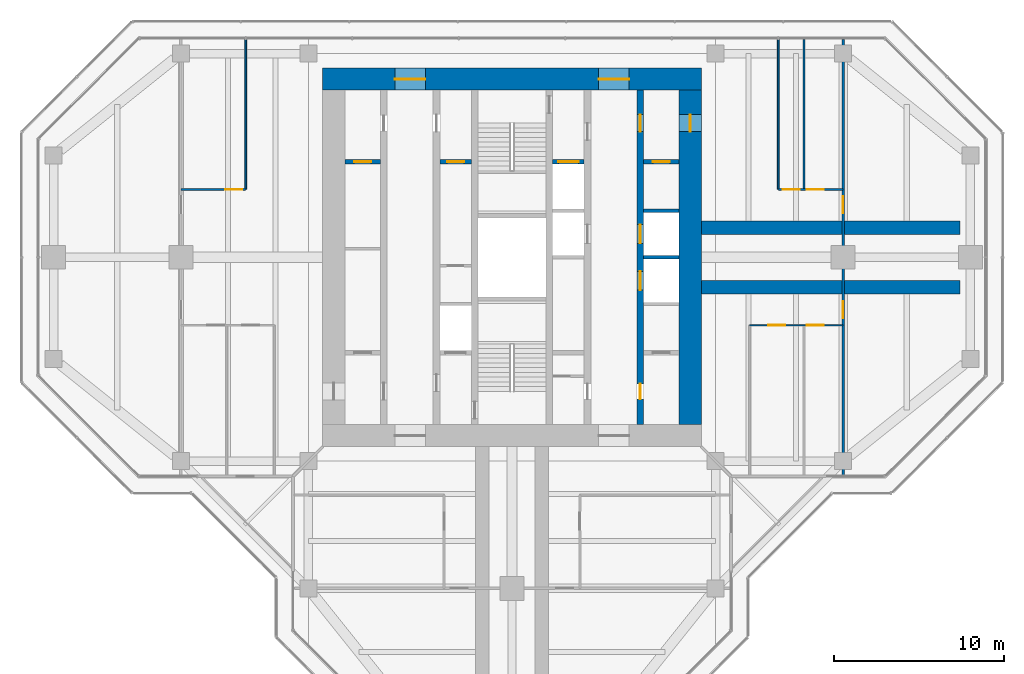
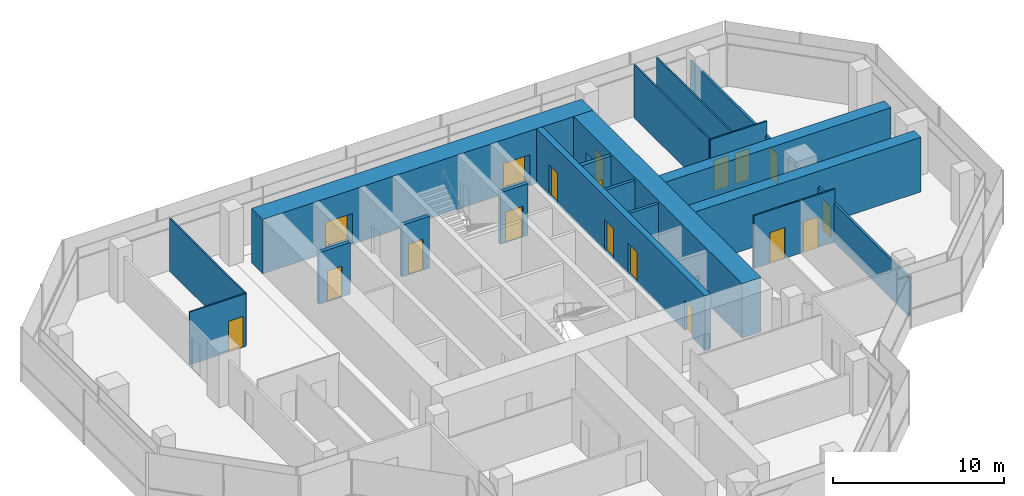
# One storey, part 13 of 16: 18 doors, 18 walls, 18 openings.
"""IFC4 building model written with IfcOpenShell, lengths in metres."""

import ifcopenshell
import ifcopenshell.guid

model = None  # the IFC model being written
_history = None  # IfcOwnerHistory: only IFC2X3 demands one
_inside = {}  # id of a spatial element -> (the spatial element, [elements in it])
_under = {}  # id of a project, library or spatial element -> (it, [spatial elements below it])
_declared = {}  # id of a project -> (the project, [libraries it declares])
_typed = {}  # id of a type object -> (the type object, [elements of that type])
_made_of = {}  # id of a material, layer set ... -> (it, [elements and type objects made of it])


def new_model(schema):
    """Start an empty IFC model of exactly this schema.

    Asked for "IFC4X3", IfcOpenShell would pick the latest addendum, in which some entities
    have other attributes; the version numbers below select the first issue.
    IFC2X3 requires an IfcOwnerHistory on every rooted entity: one is made here for all.
    """
    global model, _history
    if schema == "IFC4X3":
        model = ifcopenshell.file(schema_version=(4, 3, 0, 0))
    else:
        model = ifcopenshell.file(schema=schema)
    _inside.clear()
    _under.clear()
    _declared.clear()
    _typed.clear()
    _made_of.clear()
    _history = None
    if model.schema == "IFC2X3":
        org = make("IfcOrganization", Name="unknown")
        user = make(
            "IfcPersonAndOrganization",
            ThePerson=make("IfcPerson", FamilyName="unknown"),
            TheOrganization=org,
        )
        app = make(
            "IfcApplication",
            ApplicationDeveloper=org,
            Version="unknown",
            ApplicationFullName="unknown",
            ApplicationIdentifier="unknown",
        )
        _history = make(
            "IfcOwnerHistory",
            OwningUser=user,
            OwningApplication=app,
            ChangeAction="ADDED",
            CreationDate=0,
        )
    return model


def make(cls, **values):
    """One entity of the class cls with the attributes given. An attribute that is None is left unset."""
    return model.create_entity(
        cls, **{name: value for name, value in values.items() if value is not None}
    )


def rooted(cls, **values):
    """An entity with a GlobalId (a new one), such as an element, a storey or a relation."""
    return make(cls, GlobalId=ifcopenshell.guid.new(), OwnerHistory=_history, **values)


def si_unit(unit_type, name, prefix=None):
    """IfcSIUnit, for example si_unit("LENGTHUNIT", "METRE", prefix="MILLI")."""
    return make("IfcSIUnit", UnitType=unit_type, Prefix=prefix, Name=name)


def assignment(units):
    """IfcUnitAssignment: the units of a project."""
    return None if units is None else make("IfcUnitAssignment", Units=units)


def point(xyz):
    """IfcCartesianPoint."""
    return None if xyz is None else make("IfcCartesianPoint", Coordinates=xyz)


def direction(xyz):
    """IfcDirection."""
    return None if xyz is None else make("IfcDirection", DirectionRatios=xyz)


def frame(location, z_axis=None, x_axis=None):
    """IfcAxis2Placement3D, a coordinate frame: its origin and axes. An axis left out is left unset."""
    return make(
        "IfcAxis2Placement3D",
        Location=point(location),
        Axis=direction(z_axis),
        RefDirection=direction(x_axis),
    )


def frame_2d(location, x_axis=None):
    """IfcAxis2Placement2D, a coordinate frame in the plane: its origin and x axis."""
    return make(
        "IfcAxis2Placement2D", Location=point(location), RefDirection=direction(x_axis)
    )


def origin():
    """The frame at (0, 0, 0) with its axes left unset."""
    return frame((0.0, 0.0, 0.0))


def place(relative_to, where):
    """IfcLocalPlacement: puts the frame where relative to a parent placement (None: the world)."""
    return make(
        "IfcLocalPlacement", PlacementRelTo=relative_to, RelativePlacement=where
    )


def context(
    kind, dimensions, precision=None, world=None, true_north=None, identifier=None
):
    """IfcGeometricRepresentationContext, for example the 3D "Model" context."""
    return make(
        "IfcGeometricRepresentationContext",
        ContextIdentifier=identifier,
        ContextType=kind,
        CoordinateSpaceDimension=dimensions,
        Precision=precision,
        WorldCoordinateSystem=world,
        TrueNorth=true_north,
    )


def subcontext(parent, identifier, kind, view, scale=None):
    """IfcGeometricRepresentationSubContext, for example "Body" below "Model"."""
    return make(
        "IfcGeometricRepresentationSubContext",
        ContextIdentifier=identifier,
        ContextType=kind,
        ParentContext=parent,
        TargetScale=scale,
        TargetView=view,
    )


def project(units=None, contexts=None):
    """IfcProject with its units and contexts."""
    return rooted(
        "IfcProject",
        Name="project",
        RepresentationContexts=contexts,
        UnitsInContext=assignment(units),
    )


def spatial(cls, under=None, at=None, **own):
    """A site, building, storey or space (cls), placed at a placement, below another one or the project."""
    s = rooted(cls, ObjectPlacement=at, **own)
    if under is not None:
        _under.setdefault(under.id(), (under, []))[1].append(s)
    return s


def profile(cls, at=None, kind="AREA", **sizes):
    """A parametric profile (cls). Its sizes go by their IFC names, for example OverallWidth=200.0."""
    return make(cls, ProfileType=kind, Position=at, **sizes)


def rectangle(**sizes):
    """IfcRectangleProfileDef."""
    return profile("IfcRectangleProfileDef", **sizes)


def extrude(swept, where, along, depth):
    """IfcExtrudedAreaSolid: the profile swept, set in the frame where, extruded along a direction by depth."""
    return make(
        "IfcExtrudedAreaSolid",
        SweptArea=swept,
        Position=where,
        ExtrudedDirection=direction(along),
        Depth=depth,
    )


def shape(context_of_items, identifier, shape_type, items):
    """IfcShapeRepresentation: the items that make up one representation, for example the "Body"."""
    return make(
        "IfcShapeRepresentation",
        ContextOfItems=context_of_items,
        RepresentationIdentifier=identifier,
        RepresentationType=shape_type,
        Items=items,
    )


def material(Name=None, Category=None):
    """IfcMaterial."""
    return make("IfcMaterial", Name=Name, Category=Category)


def layer(
    of_material, thickness, ventilated=None, Name=None, Category=None, Priority=None
):
    """IfcMaterialLayer: one layer of a wall or slab, of a material (None: an air gap)."""
    return make(
        "IfcMaterialLayer",
        Material=of_material,
        LayerThickness=thickness,
        IsVentilated=ventilated,
        Name=Name,
        Category=Category,
        Priority=Priority,
    )


def layer_set(layers, Name=None):
    """IfcMaterialLayerSet."""
    return make("IfcMaterialLayerSet", MaterialLayers=layers, LayerSetName=Name)


def made_of(thing, what):
    """Note that an element or type object is made of a material, layer set ...; save() writes the relation."""
    if what is not None:
        _made_of.setdefault(what.id(), (what, []))[1].append(thing)
    return thing


def type_object(cls, material=None, **own):
    """A type object (cls), such as IfcWallType, which elements share."""
    return made_of(rooted(cls, **own), material)


def element(
    cls,
    number,
    at=None,
    inside=None,
    cuts=None,
    type_object=None,
    material=None,
    context=None,
    identifier="Body",
    shape_type=None,
    held_by="IfcProductDefinitionShape",
    body=None,
    shapes=None,
    **own,
):
    """One element of the class cls, such as IfcWall. Its Tag is "e" and its number.

    at: its placement. inside: the storey or other place that contains it. cuts: it is an
    opening in that element (IfcRelVoidsElement). A single representation is given by context,
    identifier, shape_type and body (its items); several are given by shapes. held_by: the class
    of the entity that holds the representations. save() writes the other relations.
    """
    e = rooted(cls, Tag="e%d" % number, ObjectPlacement=at, **own)
    if body is not None:
        shapes = [shape(context, identifier, shape_type, body)]
    if shapes is not None:
        e.Representation = make(held_by, Representations=shapes)
    if inside is not None:
        _inside.setdefault(inside.id(), (inside, []))[1].append(e)
    if cuts is not None:
        rooted(
            "IfcRelVoidsElement", RelatingBuildingElement=cuts, RelatedOpeningElement=e
        )
    if type_object is not None:
        _typed.setdefault(type_object.id(), (type_object, []))[1].append(e)
    return made_of(e, material)


def fill(opening, filler):
    """IfcRelFillsElement: the door or window that sits in an opening."""
    return rooted(
        "IfcRelFillsElement",
        RelatingOpeningElement=opening,
        RelatedBuildingElement=filler,
    )


def aggregate(whole, parts):
    """IfcRelAggregates: a whole, such as a stair, and the parts it consists of."""
    return rooted("IfcRelAggregates", RelatingObject=whole, RelatedObjects=parts)


def save(model, path):
    """Write the relations noted so far, then the file.

    IfcRelAggregates (storeys below a building ...), IfcRelContainedInSpatialStructure (elements
    in a storey), IfcRelDefinesByType, IfcRelAssociatesMaterial and IfcRelDeclares: one each for
    every whole, place, type object, material and project.
    """
    for whole, parts in _under.values():
        aggregate(whole, parts)
    for where, things in _inside.values():
        rooted(
            "IfcRelContainedInSpatialStructure",
            RelatedElements=things,
            RelatingStructure=where,
        )
    for kind, things in _typed.values():
        rooted("IfcRelDefinesByType", RelatedObjects=things, RelatingType=kind)
    for what, things in _made_of.values():
        rooted("IfcRelAssociatesMaterial", RelatedObjects=things, RelatingMaterial=what)
    for by, libraries in _declared.values():
        rooted("IfcRelDeclares", RelatingContext=by, RelatedDefinitions=libraries)
    model.write(path)


model = new_model("IFC4")

# Units and contexts
model_context = context("Model", 3, precision=1e-05, world=origin(), true_north=direction((0.0, 1.0)))
body_context = subcontext(model_context, "Body", "Model", "MODEL_VIEW")
ifc_project = project(units=[si_unit("LENGTHUNIT", "METRE"), si_unit("AREAUNIT", "SQUARE_METRE"), si_unit("VOLUMEUNIT", "CUBIC_METRE"), si_unit("PLANEANGLEUNIT", "RADIAN"), si_unit("MASSUNIT", "GRAM", prefix="KILO")], contexts=[model_context])

# Site, building, storey
site_placement = place(None, origin())
site = spatial("IfcSite", under=ifc_project, at=site_placement, CompositionType="ELEMENT")
building_placement = place(site_placement, origin())
building = spatial("IfcBuilding", under=site, at=building_placement, Name="Mizan Broadcast Tower", CompositionType="ELEMENT")
storey_placement = place(building_placement, frame((0.0, 0.0, 290.699951171875)))
storey = spatial("IfcBuildingStorey", under=building, at=storey_placement, Name="L69", CompositionType="ELEMENT", Elevation=290.699951171875)

# Wall, openings, doors
ifc_material_1 = material(Name="Concrete C70/85", Category="concrete")
ifc_layer_1 = layer(ifc_material_1, 0.39990234375)
ifc_layer_set_1 = layer_set([ifc_layer_1], Name="Concrete C70/85")
wall_type_1 = type_object("IfcWallType", Name="CORE INTERNAL WALL 400", PredefinedType="SHEAR", material=ifc_layer_set_1)
wall_1_placement = place(storey_placement, frame((7.550048828125, 9.85009765625, 0.0), z_axis=(0.0, 0.0, 1.0), x_axis=(0.0, -1.0, 0.0)))
wall_1 = element("IfcWall", 1, at=wall_1_placement, inside=storey, type_object=wall_type_1, Name="Core wall CORE/XW1E", PredefinedType="SHEAR", context=body_context, shape_type="SweptSolid", body=[
    extrude(rectangle(XDim=19.7001953125, YDim=0.39990234375, at=frame_2d((9.85009765625, 0.0))), origin(), (0.0, 0.0, 1.0), 3.900146484375),
])
opening_1_placement = place(wall_1_placement, frame((1.449951171875, 0.0, 0.0)))
opening_1 = element("IfcOpeningElement", 2, at=opening_1_placement, cuts=wall_1, Name="Opening D10F", PredefinedType="OPENING", context=body_context, shape_type="SweptSolid", body=[
    extrude(rectangle(XDim=1.0, YDim=2.199951171875, at=frame_2d((0.5, 1.10009765625))), frame((0.0, 0.2099609375, 0.0), z_axis=(0.0, -1.0, 0.0), x_axis=(1.0, 0.0, 0.0)), (0.0, 0.0, 1.0), 0.419921875),
])
opening_2_placement = place(wall_1_placement, frame((17.300048828125, 0.0, 0.0)))
opening_2 = element("IfcOpeningElement", 3, at=opening_2_placement, cuts=wall_1, Name="Opening D09", PredefinedType="OPENING", context=body_context, shape_type="SweptSolid", body=[
    extrude(rectangle(XDim=0.89990234375, YDim=2.10009765625, at=frame_2d((0.449951171875, 1.050048828125))), frame((0.0, 0.2099609375, 0.0), z_axis=(0.0, -1.0, 0.0), x_axis=(1.0, 0.0, 0.0)), (0.0, 0.0, 1.0), 0.419921875),
])
opening_3_placement = place(wall_1_placement, frame((7.925048828125, 0.0, 0.0)))
opening_3 = element("IfcOpeningElement", 4, at=opening_3_placement, cuts=wall_1, Name="Opening LD", PredefinedType="OPENING", context=body_context, shape_type="SweptSolid", body=[
    extrude(rectangle(XDim=1.10009765625, YDim=2.199951171875, at=frame_2d((0.550048828125, 1.10009765625))), frame((0.0, 0.2099609375, 0.0), z_axis=(0.0, -1.0, 0.0), x_axis=(1.0, 0.0, 0.0)), (0.0, 0.0, 1.0), 0.419921875),
])
opening_4_placement = place(wall_1_placement, frame((10.675048828125, 0.0, 0.0)))
opening_4 = element("IfcOpeningElement", 5, at=opening_4_placement, cuts=wall_1, Name="Opening LD", PredefinedType="OPENING", context=body_context, shape_type="SweptSolid", body=[
    extrude(rectangle(XDim=1.10009765625, YDim=2.199951171875, at=frame_2d((0.550048828125, 1.10009765625))), frame((0.0, 0.2099609375, 0.0), z_axis=(0.0, -1.0, 0.0), x_axis=(1.0, 0.0, 0.0)), (0.0, 0.0, 1.0), 0.419921875),
])
ifc_material_2 = material(Name="Steel door leaf in steel frame", Category="steel")
door_type_1 = type_object("IfcDoorType", Name="FIRE DOOR 1000 FD90", OperationType="SINGLE_SWING_LEFT", PredefinedType="DOOR", material=ifc_material_2)
door_1_placement = place(opening_1_placement, origin())
door_1 = element("IfcDoor", 6, at=door_1_placement, inside=storey, type_object=door_type_1, Name="East core passage door", OperationType="SINGLE_SWING_LEFT", OverallHeight=2.199951171875, OverallWidth=1.0, PredefinedType="DOOR", context=body_context, shape_type="SweptSolid", body=[
    extrude(rectangle(XDim=1.0, YDim=2.199951171875, at=frame_2d((0.5, 1.10009765625))), frame((0.0, 0.02490234375, 0.0), z_axis=(0.0, -1.0, 0.0), x_axis=(1.0, 0.0, 0.0)), (0.0, 0.0, 1.0), 0.050048828125),
])
fill(opening_1, door_1)
ifc_material_3 = material(Name="Steel door leaf in steel frame", Category="steel")
door_type_2 = type_object("IfcDoorType", Name="LIFT LANDING DOOR 1100", OperationType="SLIDING_TO_LEFT", PredefinedType="DOOR", material=ifc_material_3)
door_2_placement = place(opening_3_placement, origin())
door_2 = element("IfcDoor", 7, at=door_2_placement, inside=storey, type_object=door_type_2, Name="Landing door LD1", OperationType="SLIDING_TO_LEFT", OverallHeight=2.199951171875, OverallWidth=1.10009765625, PredefinedType="DOOR", context=body_context, shape_type="SweptSolid", body=[
    extrude(rectangle(XDim=1.10009765625, YDim=2.199951171875, at=frame_2d((0.550048828125, 1.10009765625))), frame((0.0, 0.02490234375, 0.0), z_axis=(0.0, -1.0, 0.0), x_axis=(1.0, 0.0, 0.0)), (0.0, 0.0, 1.0), 0.050048828125),
])
fill(opening_3, door_2)
door_3_placement = place(opening_4_placement, origin())
door_3 = element("IfcDoor", 8, at=door_3_placement, inside=storey, type_object=door_type_2, Name="Landing door LD2", OperationType="SLIDING_TO_LEFT", OverallHeight=2.199951171875, OverallWidth=1.10009765625, PredefinedType="DOOR", context=body_context, shape_type="SweptSolid", body=[
    extrude(rectangle(XDim=1.10009765625, YDim=2.199951171875, at=frame_2d((0.550048828125, 1.10009765625))), frame((0.0, 0.02490234375, 0.0), z_axis=(0.0, -1.0, 0.0), x_axis=(1.0, 0.0, 0.0)), (0.0, 0.0, 1.0), 0.050048828125),
])
fill(opening_4, door_3)
ifc_material_4 = material(Name="Timber door leaf in aluminium frame", Category="wood")
door_type_3 = type_object("IfcDoorType", Name="TOILET DOOR 900", OperationType="SINGLE_SWING_LEFT", PredefinedType="DOOR", material=ifc_material_4)
door_4_placement = place(opening_2_placement, origin())
door_4 = element("IfcDoor", 9, at=door_4_placement, inside=storey, type_object=door_type_3, Name="Female WC door", OperationType="SINGLE_SWING_RIGHT", OverallHeight=2.10009765625, OverallWidth=0.89990234375, PredefinedType="DOOR", context=body_context, shape_type="SweptSolid", body=[
    extrude(rectangle(XDim=0.89990234375, YDim=2.10009765625, at=frame_2d((0.449951171875, 1.050048828125))), frame((0.0, 0.02490234375, 0.0), z_axis=(0.0, -1.0, 0.0), x_axis=(1.0, 0.0, 0.0)), (0.0, 0.0, 1.0), 0.050048828125),
])
fill(opening_2, door_4)

ifc_material_5 = material(Name="Concrete C70/85", Category="concrete")
ifc_layer_2 = layer(ifc_material_5, 1.300048828125)
ifc_layer_set_2 = layer_set([ifc_layer_2], Name="Concrete C70/85")
wall_type_2 = type_object("IfcWallType", Name="CORE WALL 1300", PredefinedType="SHEAR", material=ifc_layer_set_2)
wall_2_placement = place(storey_placement, frame((-11.14990234375, 10.5, 0.0), z_axis=(0.0, 0.0, 1.0), x_axis=(1.0, 0.0, 0.0)))
wall_2 = element("IfcWall", 10, at=wall_2_placement, inside=storey, type_object=wall_type_2, Name="Core wall N L69", PredefinedType="SHEAR", context=body_context, shape_type="SweptSolid", body=[
    extrude(rectangle(XDim=22.2998046875, YDim=1.300048828125, at=frame_2d((11.14990234375, 0.0))), origin(), (0.0, 0.0, 1.0), 3.900146484375),
])
opening_5_placement = place(wall_2_placement, frame((4.25, 0.0, 0.0)))
opening_5 = element("IfcOpeningElement", 11, at=opening_5_placement, cuts=wall_2, Name="Opening D18F", PredefinedType="OPENING", context=body_context, shape_type="SweptSolid", body=[
    extrude(rectangle(XDim=1.800048828125, YDim=2.199951171875, at=frame_2d((0.89990234375, 1.10009765625))), frame((0.0, 0.659912109375, 0.0), z_axis=(0.0, -1.0, 0.0), x_axis=(1.0, 0.0, 0.0)), (0.0, 0.0, 1.0), 1.320068359375),
])
opening_6_placement = place(wall_2_placement, frame((16.25, 0.0, 0.0)))
opening_6 = element("IfcOpeningElement", 12, at=opening_6_placement, cuts=wall_2, Name="Opening D18F", PredefinedType="OPENING", context=body_context, shape_type="SweptSolid", body=[
    extrude(rectangle(XDim=1.800048828125, YDim=2.199951171875, at=frame_2d((0.89990234375, 1.10009765625))), frame((0.0, 0.659912109375, 0.0), z_axis=(0.0, -1.0, 0.0), x_axis=(1.0, 0.0, 0.0)), (0.0, 0.0, 1.0), 1.320068359375),
])
ifc_material_6 = material(Name="Steel door leaf in steel frame", Category="steel")
door_type_4 = type_object("IfcDoorType", Name="LOBBY DOUBLE DOOR 1800 FD90", OperationType="DOUBLE_DOOR_DOUBLE_SWING", PredefinedType="DOOR", material=ifc_material_6)
door_5_placement = place(opening_5_placement, origin())
door_5 = element("IfcDoor", 13, at=door_5_placement, inside=storey, type_object=door_type_4, Name="West lift lobby north door", OperationType="DOUBLE_DOOR_DOUBLE_SWING", OverallHeight=2.199951171875, OverallWidth=1.800048828125, PredefinedType="DOOR", context=body_context, shape_type="SweptSolid", body=[
    extrude(rectangle(XDim=1.800048828125, YDim=2.199951171875, at=frame_2d((0.89990234375, 1.10009765625))), frame((0.0, 0.02490234375, 0.0), z_axis=(0.0, -1.0, 0.0), x_axis=(1.0, 0.0, 0.0)), (0.0, 0.0, 1.0), 0.050048828125),
])
fill(opening_5, door_5)
door_6_placement = place(opening_6_placement, origin())
door_6 = element("IfcDoor", 14, at=door_6_placement, inside=storey, type_object=door_type_4, Name="East lift lobby north door", OperationType="DOUBLE_DOOR_DOUBLE_SWING", OverallHeight=2.199951171875, OverallWidth=1.800048828125, PredefinedType="DOOR", context=body_context, shape_type="SweptSolid", body=[
    extrude(rectangle(XDim=1.800048828125, YDim=2.199951171875, at=frame_2d((0.89990234375, 1.10009765625))), frame((0.0, 0.02490234375, 0.0), z_axis=(0.0, -1.0, 0.0), x_axis=(1.0, 0.0, 0.0)), (0.0, 0.0, 1.0), 0.050048828125),
])
fill(opening_6, door_6)

# Wall, opening, door
wall_3_placement = place(storey_placement, frame((10.5, -9.85009765625, 0.0), z_axis=(0.0, 0.0, 1.0), x_axis=(0.0, 1.0, 0.0)))
wall_3 = element("IfcWall", 15, at=wall_3_placement, inside=storey, type_object=wall_type_2, Name="Core wall E L69", PredefinedType="SHEAR", context=body_context, shape_type="SweptSolid", body=[
    extrude(rectangle(XDim=19.7001953125, YDim=1.300048828125, at=frame_2d((9.85009765625, 0.0))), origin(), (0.0, 0.0, 1.0), 3.900146484375),
])
opening_7_placement = place(wall_3_placement, frame((17.25, 0.0, 0.0)))
opening_7 = element("IfcOpeningElement", 16, at=opening_7_placement, cuts=wall_3, Name="Opening D10F", PredefinedType="OPENING", context=body_context, shape_type="SweptSolid", body=[
    extrude(rectangle(XDim=1.0, YDim=2.199951171875, at=frame_2d((0.5, 1.10009765625))), frame((0.0, 0.659912109375, 0.0), z_axis=(0.0, -1.0, 0.0), x_axis=(1.0, 0.0, 0.0)), (0.0, 0.0, 1.0), 1.320068359375),
])
door_7_placement = place(opening_7_placement, origin())
door_7 = element("IfcDoor", 17, at=door_7_placement, inside=storey, type_object=door_type_1, Name="East core passage arm door", OperationType="SINGLE_SWING_RIGHT", OverallHeight=2.199951171875, OverallWidth=1.0, PredefinedType="DOOR", context=body_context, shape_type="SweptSolid", body=[
    extrude(rectangle(XDim=1.0, YDim=2.199951171875, at=frame_2d((0.5, 1.10009765625))), frame((0.0, 0.02490234375, 0.0), z_axis=(0.0, -1.0, 0.0), x_axis=(1.0, 0.0, 0.0)), (0.0, 0.0, 1.0), 0.050048828125),
])
fill(opening_7, door_7)

# Walls
ifc_material_7 = material(Name="Concrete blockwork", Category="masonry")
ifc_layer_3 = layer(ifc_material_7, 0.199951171875)
ifc_layer_set_3 = layer_set([ifc_layer_3], Name="Concrete blockwork")
wall_type_3 = type_object("IfcWallType", Name="LIFT SHAFT WALL 200", PredefinedType="SOLIDWALL", material=ifc_layer_set_3)
for number, where, z_axis, x_axis, name in (
    (18, (7.75, 0.0, 0.0), (0.0, 0.0, 1.0), (1.0, 0.0, 0.0), "Lift shaft wall CORE/SE1-2"),
    (19, (7.75, 2.75, 0.0), (0.0, 0.0, 1.0), (1.0, 0.0, 0.0), "Lift shaft wall CORE/SE1-3"),
):
    element("IfcWall", number, at=place(storey_placement, frame(where, z_axis=z_axis, x_axis=x_axis)), inside=storey, type_object=wall_type_3, Name=name, PredefinedType="SOLIDWALL", context=body_context, shape_type="SweptSolid", body=[
        extrude(rectangle(XDim=2.10009765625, YDim=0.199951171875, at=frame_2d((1.050048828125, 0.0))), origin(), (0.0, 0.0, 1.0), 3.699951171875),
    ])

# Wall, opening, door
ifc_material_8 = material(Name="Concrete blockwork", Category="masonry")
ifc_layer_4 = layer(ifc_material_8, 0.25)
ifc_layer_set_4 = layer_set([ifc_layer_4], Name="Concrete blockwork")
wall_type_4 = type_object("IfcWallType", Name="LOBBY ENCLOSURE WALL 250", PredefinedType="SOLIDWALL", material=ifc_layer_set_4)
wall_4_placement = place(storey_placement, frame((-9.85009765625, 5.625, 0.0), z_axis=(0.0, 0.0, 1.0), x_axis=(1.0, 0.0, 0.0)))
wall_4 = element("IfcWall", 20, at=wall_4_placement, inside=storey, type_object=wall_type_4, Name="Lobby enclosure wall CORE/BW1N", PredefinedType="SOLIDWALL", context=body_context, shape_type="SweptSolid", body=[
    extrude(rectangle(XDim=2.10009765625, YDim=0.25, at=frame_2d((1.050048828125, 0.0))), origin(), (0.0, 0.0, 1.0), 3.699951171875),
])
opening_8_placement = place(wall_4_placement, frame((0.550048828125, 0.0, 0.0)))
opening_8 = element("IfcOpeningElement", 21, at=opening_8_placement, cuts=wall_4, Name="Opening D10F", PredefinedType="OPENING", context=body_context, shape_type="SweptSolid", body=[
    extrude(rectangle(XDim=1.0, YDim=2.199951171875, at=frame_2d((0.5, 1.10009765625))), frame((0.0, 0.135009765625, 0.0), z_axis=(0.0, -1.0, 0.0), x_axis=(1.0, 0.0, 0.0)), (0.0, 0.0, 1.0), 0.27001953125),
])
door_8_placement = place(opening_8_placement, origin())
door_8 = element("IfcDoor", 22, at=door_8_placement, inside=storey, type_object=door_type_1, Name="Male staff shower room door", OperationType="SINGLE_SWING_RIGHT", OverallHeight=2.199951171875, OverallWidth=1.0, PredefinedType="DOOR", context=body_context, shape_type="SweptSolid", body=[
    extrude(rectangle(XDim=1.0, YDim=2.199951171875, at=frame_2d((0.5, 1.10009765625))), frame((0.0, 0.02490234375, 0.0), z_axis=(0.0, -1.0, 0.0), x_axis=(1.0, 0.0, 0.0)), (0.0, 0.0, 1.0), 0.050048828125),
])
fill(opening_8, door_8)

wall_5_placement = place(storey_placement, frame((-4.25, 5.625, 0.0), z_axis=(0.0, 0.0, 1.0), x_axis=(1.0, 0.0, 0.0)))
wall_5 = element("IfcWall", 23, at=wall_5_placement, inside=storey, type_object=wall_type_4, Name="Lobby enclosure wall CORE/BW2N", PredefinedType="SOLIDWALL", context=body_context, shape_type="SweptSolid", body=[
    extrude(rectangle(XDim=1.85009765625, YDim=0.25, at=frame_2d((0.925048828125, 0.0))), origin(), (0.0, 0.0, 1.0), 3.699951171875),
])
opening_9_placement = place(wall_5_placement, frame((0.425048828125, 0.0, 0.0)))
opening_9 = element("IfcOpeningElement", 24, at=opening_9_placement, cuts=wall_5, Name="Opening D10F", PredefinedType="OPENING", context=body_context, shape_type="SweptSolid", body=[
    extrude(rectangle(XDim=1.0, YDim=2.199951171875, at=frame_2d((0.5, 1.10009765625))), frame((0.0, 0.135009765625, 0.0), z_axis=(0.0, -1.0, 0.0), x_axis=(1.0, 0.0, 0.0)), (0.0, 0.0, 1.0), 0.27001953125),
])
door_9_placement = place(opening_9_placement, origin())
door_9 = element("IfcDoor", 25, at=door_9_placement, inside=storey, type_object=door_type_1, Name="Accessible shower room door", OperationType="SINGLE_SWING_RIGHT", OverallHeight=2.199951171875, OverallWidth=1.0, PredefinedType="DOOR", context=body_context, shape_type="SweptSolid", body=[
    extrude(rectangle(XDim=1.0, YDim=2.199951171875, at=frame_2d((0.5, 1.10009765625))), frame((0.0, 0.02490234375, 0.0), z_axis=(0.0, -1.0, 0.0), x_axis=(1.0, 0.0, 0.0)), (0.0, 0.0, 1.0), 0.050048828125),
])
fill(opening_9, door_9)

wall_6_placement = place(storey_placement, frame((2.39990234375, 5.625, 0.0), z_axis=(0.0, 0.0, 1.0), x_axis=(1.0, 0.0, 0.0)))
wall_6 = element("IfcWall", 26, at=wall_6_placement, inside=storey, type_object=wall_type_4, Name="Lobby enclosure wall CORE/BE2N", PredefinedType="SOLIDWALL", context=body_context, shape_type="SweptSolid", body=[
    extrude(rectangle(XDim=1.85009765625, YDim=0.25, at=frame_2d((0.925048828125, 0.0))), origin(), (0.0, 0.0, 1.0), 3.699951171875),
])
opening_10_placement = place(wall_6_placement, frame((0.324951171875, 0.0, 0.0)))
opening_10 = element("IfcOpeningElement", 27, at=opening_10_placement, cuts=wall_6, Name="Opening LDF", PredefinedType="OPENING", context=body_context, shape_type="SweptSolid", body=[
    extrude(rectangle(XDim=1.199951171875, YDim=2.199951171875, at=frame_2d((0.60009765625, 1.10009765625))), frame((0.0, 0.135009765625, 0.0), z_axis=(0.0, -1.0, 0.0), x_axis=(1.0, 0.0, 0.0)), (0.0, 0.0, 1.0), 0.27001953125),
])
ifc_material_9 = material(Name="Steel door leaf in steel frame", Category="steel")
door_type_5 = type_object("IfcDoorType", Name="FIREFIGHTING LIFT LANDING DOOR 1200", OperationType="SLIDING_TO_LEFT", PredefinedType="DOOR", material=ifc_material_9)
door_10_placement = place(opening_10_placement, origin())
door_10 = element("IfcDoor", 28, at=door_10_placement, inside=storey, type_object=door_type_5, Name="Landing door FF2", OperationType="SLIDING_TO_LEFT", OverallHeight=2.199951171875, OverallWidth=1.199951171875, PredefinedType="DOOR", context=body_context, shape_type="SweptSolid", body=[
    extrude(rectangle(XDim=1.199951171875, YDim=2.199951171875, at=frame_2d((0.60009765625, 1.10009765625))), frame((0.0, 0.02490234375, 0.0), z_axis=(0.0, -1.0, 0.0), x_axis=(1.0, 0.0, 0.0)), (0.0, 0.0, 1.0), 0.050048828125),
])
fill(opening_10, door_10)

wall_7_placement = place(storey_placement, frame((7.75, 5.625, 0.0), z_axis=(0.0, 0.0, 1.0), x_axis=(1.0, 0.0, 0.0)))
wall_7 = element("IfcWall", 29, at=wall_7_placement, inside=storey, type_object=wall_type_4, Name="Lobby enclosure wall CORE/BE1N", PredefinedType="SOLIDWALL", context=body_context, shape_type="SweptSolid", body=[
    extrude(rectangle(XDim=2.10009765625, YDim=0.25, at=frame_2d((1.050048828125, 0.0))), origin(), (0.0, 0.0, 1.0), 3.699951171875),
])
opening_11_placement = place(wall_7_placement, frame((0.550048828125, 0.0, 0.0)))
opening_11 = element("IfcOpeningElement", 30, at=opening_11_placement, cuts=wall_7, Name="Opening D10F", PredefinedType="OPENING", context=body_context, shape_type="SweptSolid", body=[
    extrude(rectangle(XDim=1.0, YDim=2.199951171875, at=frame_2d((0.5, 1.10009765625))), frame((0.0, 0.135009765625, 0.0), z_axis=(0.0, -1.0, 0.0), x_axis=(1.0, 0.0, 0.0)), (0.0, 0.0, 1.0), 0.27001953125),
])
door_11_placement = place(opening_11_placement, origin())
door_11 = element("IfcDoor", 31, at=door_11_placement, inside=storey, type_object=door_type_1, Name="IT room door", OperationType="SINGLE_SWING_LEFT", OverallHeight=2.199951171875, OverallWidth=1.0, PredefinedType="DOOR", context=body_context, shape_type="SweptSolid", body=[
    extrude(rectangle(XDim=1.0, YDim=2.199951171875, at=frame_2d((0.5, 1.10009765625))), frame((0.0, 0.02490234375, 0.0), z_axis=(0.0, -1.0, 0.0), x_axis=(1.0, 0.0, 0.0)), (0.0, 0.0, 1.0), 0.050048828125),
])
fill(opening_11, door_11)

# Wall, openings, doors
ifc_material_10 = material(Name="Gypsum board on steel studs", Category="steel")
ifc_layer_5 = layer(ifc_material_10, 0.14990234375)
ifc_layer_set_5 = layer_set([ifc_layer_5], Name="Gypsum board on steel studs")
wall_type_5 = type_object("IfcWallType", Name="PARTITION 150", PredefinedType="PARTITIONING", material=ifc_layer_set_5)
wall_8_placement = place(storey_placement, frame((19.5, -12.820068359375, 0.0), z_axis=(0.0, 0.0, 1.0), x_axis=(0.0, 1.0, 0.0)))
wall_8 = element("IfcWall", 32, at=wall_8_placement, inside=storey, type_object=wall_type_5, Name="Partition PT/EX1", PredefinedType="PARTITIONING", context=body_context, shape_type="SweptSolid", body=[
    extrude(rectangle(XDim=25.64013671875, YDim=0.14990234375, at=frame_2d((12.820068359375, 0.0))), origin(), (0.0, 0.0, 1.0), 2.77001953125),
])
opening_12_placement = place(wall_8_placement, frame((15.419921875, 0.0, 0.0)))
opening_12 = element("IfcOpeningElement", 33, at=opening_12_placement, cuts=wall_8, Name="Opening D10", PredefinedType="OPENING", context=body_context, shape_type="SweptSolid", body=[
    extrude(rectangle(XDim=1.0, YDim=2.199951171875, at=frame_2d((0.5, 1.10009765625))), frame((0.0, 0.0849609375, 0.0), z_axis=(0.0, -1.0, 0.0), x_axis=(1.0, 0.0, 0.0)), (0.0, 0.0, 1.0), 0.169921875),
])
opening_13_placement = place(wall_8_placement, frame((9.219970703125, 0.0, 0.0)))
opening_13 = element("IfcOpeningElement", 34, at=opening_13_placement, cuts=wall_8, Name="Opening D10", PredefinedType="OPENING", context=body_context, shape_type="SweptSolid", body=[
    extrude(rectangle(XDim=1.0, YDim=2.199951171875, at=frame_2d((0.5, 1.10009765625))), frame((0.0, 0.0849609375, 0.0), z_axis=(0.0, -1.0, 0.0), x_axis=(1.0, 0.0, 0.0)), (0.0, 0.0, 1.0), 0.169921875),
])
ifc_material_11 = material(Name="Timber door leaf in aluminium frame", Category="wood")
door_type_6 = type_object("IfcDoorType", Name="ROOM DOOR 1000", OperationType="SINGLE_SWING_LEFT", PredefinedType="DOOR", material=ifc_material_11)
door_12_placement = place(opening_12_placement, origin())
door_12 = element("IfcDoor", 35, at=door_12_placement, inside=storey, type_object=door_type_6, Name="Executive office door", OperationType="SINGLE_SWING_RIGHT", OverallHeight=2.199951171875, OverallWidth=1.0, PredefinedType="DOOR", context=body_context, shape_type="SweptSolid", body=[
    extrude(rectangle(XDim=1.0, YDim=2.199951171875, at=frame_2d((0.5, 1.10009765625))), frame((0.0, 0.02490234375, 0.0), z_axis=(0.0, -1.0, 0.0), x_axis=(1.0, 0.0, 0.0)), (0.0, 0.0, 1.0), 0.050048828125),
])
fill(opening_12, door_12)
door_13_placement = place(opening_13_placement, origin())
door_13 = element("IfcDoor", 36, at=door_13_placement, inside=storey, type_object=door_type_6, Name="Executive office door", OperationType="SINGLE_SWING_LEFT", OverallHeight=2.199951171875, OverallWidth=1.0, PredefinedType="DOOR", context=body_context, shape_type="SweptSolid", body=[
    extrude(rectangle(XDim=1.0, YDim=2.199951171875, at=frame_2d((0.5, 1.10009765625))), frame((0.0, 0.02490234375, 0.0), z_axis=(0.0, -1.0, 0.0), x_axis=(1.0, 0.0, 0.0)), (0.0, 0.0, 1.0), 0.050048828125),
])
fill(opening_13, door_13)

ifc_material_12 = material(Name="Glazed aluminium partition on aluminium track", Category="aluminium")
ifc_layer_6 = layer(ifc_material_12, 0.10009765625)
ifc_layer_set_6 = layer_set([ifc_layer_6], Name="Glazed aluminium partition on aluminium track")
wall_type_6 = type_object("IfcWallType", Name="PARTITION GLAZED OFFICE FRONT 100", PredefinedType="PARTITIONING", material=ifc_layer_set_6)
wall_9_placement = place(storey_placement, frame((15.68505859375, 4.0, 0.0), z_axis=(0.0, 0.0, 1.0), x_axis=(1.0, 0.0, 0.0)))
wall_9 = element("IfcWall", 37, at=wall_9_placement, inside=storey, type_object=wall_type_6, Name="Glazed office front PT/ECP0", PredefinedType="PARTITIONING", context=body_context, shape_type="SweptSolid", body=[
    extrude(rectangle(XDim=3.81494140625, YDim=0.10009765625, at=frame_2d((1.907470703125, 0.0))), origin(), (0.0, 0.0, 1.0), 3.77001953125),
])
opening_14_placement = place(wall_9_placement, frame((0.257568359375, 0.0, 0.0)))
opening_14 = element("IfcOpeningElement", 38, at=opening_14_placement, cuts=wall_9, Name="Opening D10O", PredefinedType="OPENING", context=body_context, shape_type="SweptSolid", body=[
    extrude(rectangle(XDim=1.0, YDim=2.199951171875, at=frame_2d((0.5, 1.10009765625))), frame((0.0, 0.06005859375, 0.0), z_axis=(0.0, -1.0, 0.0), x_axis=(1.0, 0.0, 0.0)), (0.0, 0.0, 1.0), 0.1201171875),
])
opening_15_placement = place(wall_9_placement, frame((1.6650390625, 0.0, 0.0)))
opening_15 = element("IfcOpeningElement", 39, at=opening_15_placement, cuts=wall_9, Name="Opening D10O", PredefinedType="OPENING", context=body_context, shape_type="SweptSolid", body=[
    extrude(rectangle(XDim=1.0, YDim=2.199951171875, at=frame_2d((0.5, 1.10009765625))), frame((0.0, 0.06005859375, 0.0), z_axis=(0.0, -1.0, 0.0), x_axis=(1.0, 0.0, 0.0)), (0.0, 0.0, 1.0), 0.1201171875),
])
ifc_material_13 = material(Name="Timber door leaf in aluminium frame", Category="wood")
door_type_7 = type_object("IfcDoorType", Name="OFFICE DOOR 1000 GLAZED", OperationType="SINGLE_SWING_LEFT", PredefinedType="DOOR", material=ifc_material_13)
door_14_placement = place(opening_14_placement, origin())
door_14 = element("IfcDoor", 40, at=door_14_placement, inside=storey, type_object=door_type_7, Name="Executive reception door", OperationType="SINGLE_SWING_LEFT", OverallHeight=2.199951171875, OverallWidth=1.0, PredefinedType="DOOR", context=body_context, shape_type="SweptSolid", body=[
    extrude(rectangle(XDim=1.0, YDim=2.199951171875, at=frame_2d((0.5, 1.10009765625))), frame((0.0, 0.02490234375, 0.0), z_axis=(0.0, -1.0, 0.0), x_axis=(1.0, 0.0, 0.0)), (0.0, 0.0, 1.0), 0.050048828125),
])
fill(opening_14, door_14)
door_15_placement = place(opening_15_placement, origin())
door_15 = element("IfcDoor", 41, at=door_15_placement, inside=storey, type_object=door_type_7, Name="Chairman's office door", OperationType="SINGLE_SWING_RIGHT", OverallHeight=2.199951171875, OverallWidth=1.0, PredefinedType="DOOR", context=body_context, shape_type="SweptSolid", body=[
    extrude(rectangle(XDim=1.0, YDim=2.199951171875, at=frame_2d((0.5, 1.10009765625))), frame((0.0, 0.02490234375, 0.0), z_axis=(0.0, -1.0, 0.0), x_axis=(1.0, 0.0, 0.0)), (0.0, 0.0, 1.0), 0.050048828125),
])
fill(opening_15, door_15)

# Walls
for number, where, z_axis, x_axis, name in (
    (42, (15.68505859375, 4.0, 0.0), (0.0, 0.0, 1.0), (0.0, 1.0, 0.0), "Glazed office front PT/EQP1568"),
    (43, (17.199951171875, 4.0, 0.0), (0.0, 0.0, 1.0), (0.0, 1.0, 0.0), "Glazed office front PT/EQP1720"),
):
    element("IfcWall", number, at=place(storey_placement, frame(where, z_axis=z_axis, x_axis=x_axis)), inside=storey, type_object=wall_type_6, Name=name, PredefinedType="PARTITIONING", context=body_context, shape_type="SweptSolid", body=[
        extrude(rectangle(XDim=8.820068359375, YDim=0.10009765625, at=frame_2d((4.41015625, 0.0))), origin(), (0.0, 0.0, 1.0), 3.77001953125),
    ])

# Wall, openings, doors
wall_10_placement = place(storey_placement, frame((14.0, -4.0, 0.0), z_axis=(0.0, 0.0, 1.0), x_axis=(1.0, 0.0, 0.0)))
wall_10 = element("IfcWall", 44, at=wall_10_placement, inside=storey, type_object=wall_type_6, Name="Glazed office front PT/ECN0", PredefinedType="PARTITIONING", context=body_context, shape_type="SweptSolid", body=[
    extrude(rectangle(XDim=5.5, YDim=0.10009765625, at=frame_2d((2.75, 0.0))), origin(), (0.0, 0.0, 1.0), 3.77001953125),
])
opening_16_placement = place(wall_10_placement, frame((1.10009765625, 0.0, 0.0)))
opening_16 = element("IfcOpeningElement", 45, at=opening_16_placement, cuts=wall_10, Name="Opening D10O", PredefinedType="OPENING", context=body_context, shape_type="SweptSolid", body=[
    extrude(rectangle(XDim=1.0, YDim=2.199951171875, at=frame_2d((0.5, 1.10009765625))), frame((0.0, 0.06005859375, 0.0), z_axis=(0.0, -1.0, 0.0), x_axis=(1.0, 0.0, 0.0)), (0.0, 0.0, 1.0), 0.1201171875),
])
opening_17_placement = place(wall_10_placement, frame((3.35009765625, 0.0, 0.0)))
opening_17 = element("IfcOpeningElement", 46, at=opening_17_placement, cuts=wall_10, Name="Opening D10O", PredefinedType="OPENING", context=body_context, shape_type="SweptSolid", body=[
    extrude(rectangle(XDim=1.0, YDim=2.199951171875, at=frame_2d((0.5, 1.10009765625))), frame((0.0, 0.06005859375, 0.0), z_axis=(0.0, -1.0, 0.0), x_axis=(1.0, 0.0, 0.0)), (0.0, 0.0, 1.0), 0.1201171875),
])
door_16_placement = place(opening_16_placement, origin())
door_16 = element("IfcDoor", 47, at=door_16_placement, inside=storey, type_object=door_type_7, Name="Boardroom servery door", OperationType="SINGLE_SWING_LEFT", OverallHeight=2.199951171875, OverallWidth=1.0, PredefinedType="DOOR", context=body_context, shape_type="SweptSolid", body=[
    extrude(rectangle(XDim=1.0, YDim=2.199951171875, at=frame_2d((0.5, 1.10009765625))), frame((0.0, 0.02490234375, 0.0), z_axis=(0.0, -1.0, 0.0), x_axis=(1.0, 0.0, 0.0)), (0.0, 0.0, 1.0), 0.050048828125),
])
fill(opening_16, door_16)
door_17_placement = place(opening_17_placement, origin())
door_17 = element("IfcDoor", 48, at=door_17_placement, inside=storey, type_object=door_type_7, Name="Executive secretary's office door", OperationType="SINGLE_SWING_RIGHT", OverallHeight=2.199951171875, OverallWidth=1.0, PredefinedType="DOOR", context=body_context, shape_type="SweptSolid", body=[
    extrude(rectangle(XDim=1.0, YDim=2.199951171875, at=frame_2d((0.5, 1.10009765625))), frame((0.0, 0.02490234375, 0.0), z_axis=(0.0, -1.0, 0.0), x_axis=(1.0, 0.0, 0.0)), (0.0, 0.0, 1.0), 0.050048828125),
])
fill(opening_17, door_17)

# Wall, opening, door
wall_11_placement = place(storey_placement, frame((-15.68505859375, 4.0, 0.0), z_axis=(0.0, 0.0, 1.0), x_axis=(-1.0, 0.0, 0.0)))
wall_11 = element("IfcWall", 49, at=wall_11_placement, inside=storey, type_object=wall_type_6, Name="Glazed office front PT/WCN0", PredefinedType="PARTITIONING", context=body_context, shape_type="SweptSolid", body=[
    extrude(rectangle(XDim=3.81494140625, YDim=0.10009765625, at=frame_2d((1.907470703125, 0.0))), origin(), (0.0, 0.0, 1.0), 3.77001953125),
])
opening_18_placement = place(wall_11_placement, frame((0.20751953125, 0.0, 0.0)))
opening_18 = element("IfcOpeningElement", 50, at=opening_18_placement, cuts=wall_11, Name="Opening D10O", PredefinedType="OPENING", context=body_context, shape_type="SweptSolid", body=[
    extrude(rectangle(XDim=1.0, YDim=2.199951171875, at=frame_2d((0.5, 1.10009765625))), frame((0.0, 0.06005859375, 0.0), z_axis=(0.0, -1.0, 0.0), x_axis=(1.0, 0.0, 0.0)), (0.0, 0.0, 1.0), 0.1201171875),
])
door_18_placement = place(opening_18_placement, origin())
door_18 = element("IfcDoor", 51, at=door_18_placement, inside=storey, type_object=door_type_7, Name="Company secretary's office door", OperationType="SINGLE_SWING_LEFT", OverallHeight=2.199951171875, OverallWidth=1.0, PredefinedType="DOOR", context=body_context, shape_type="SweptSolid", body=[
    extrude(rectangle(XDim=1.0, YDim=2.199951171875, at=frame_2d((0.5, 1.10009765625))), frame((0.0, 0.02490234375, 0.0), z_axis=(0.0, -1.0, 0.0), x_axis=(1.0, 0.0, 0.0)), (0.0, 0.0, 1.0), 0.050048828125),
])
fill(opening_18, door_18)

# Walls
wall_12_placement = place(storey_placement, frame((-15.68505859375, 4.0, 0.0), z_axis=(0.0, 0.0, 1.0), x_axis=(0.0, 1.0, 0.0)))
element("IfcWall", 52, at=wall_12_placement, inside=storey, type_object=wall_type_6, Name="Glazed office front PT/WQN1568", PredefinedType="PARTITIONING", context=body_context, shape_type="SweptSolid", body=[
    extrude(rectangle(XDim=8.820068359375, YDim=0.10009765625, at=frame_2d((4.41015625, 0.0))), origin(), (0.0, 0.0, 1.0), 3.77001953125),
])
ifc_material_14 = material(Name="Concrete C70/85", Category="concrete")
ifc_layer_7 = layer(ifc_material_14, 0.800048828125)
ifc_layer_set_7 = layer_set([ifc_layer_7], Name="Concrete C70/85")
wall_type_7 = type_object("IfcWallType", Name="SPINE WALL 800", PredefinedType="SHEAR", material=ifc_layer_set_7)
for number, where, z_axis, x_axis, name in (
    (53, (11.14990234375, -1.75, 0.0), (0.0, 0.0, 1.0), (1.0, 0.0, 0.0), "Spine wall ER L69"),
    (54, (11.14990234375, 1.75, 0.0), (0.0, 0.0, 1.0), (1.0, 0.0, 0.0), "Spine wall EL L69"),
):
    element("IfcWall", number, at=place(storey_placement, frame(where, z_axis=z_axis, x_axis=x_axis)), inside=storey, type_object=wall_type_7, Name=name, PredefinedType="SHEAR", context=body_context, shape_type="SweptSolid", body=[
        extrude(rectangle(XDim=15.25, YDim=0.800048828125, at=frame_2d((7.625, 0.0))), origin(), (0.0, 0.0, 1.0), 3.900146484375),
    ])

save(model, "model.ifc")
